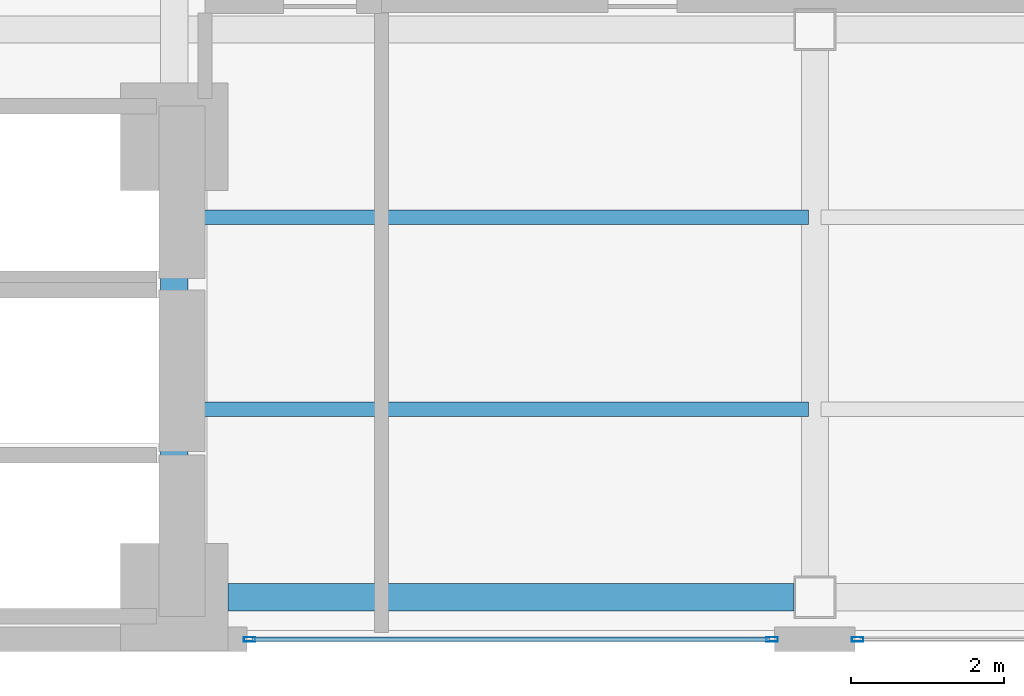
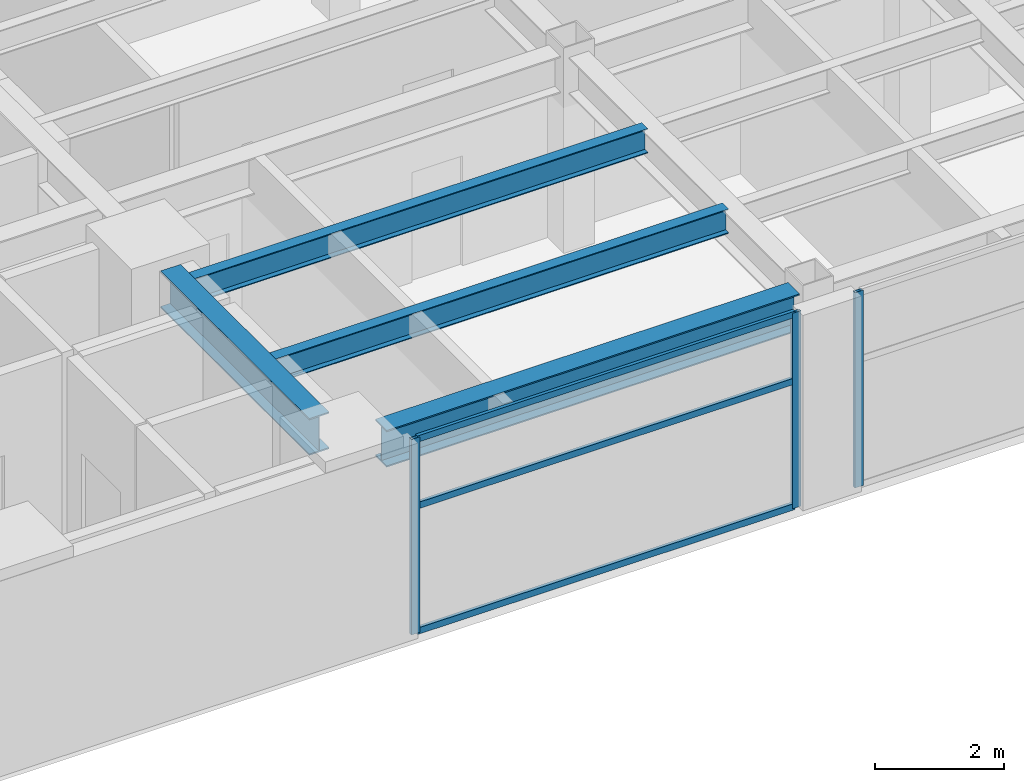
# One storey, part 4 of 16: 6 members, 4 beams, 2 elements without a shape of their own.
"""IFC4 building model written with IfcOpenShell, lengths in metres."""

from ifc_helpers import new_model, si_unit, direction, frame, origin, origin_2d, place, context, subcontext, project, spatial, hollow_rectangle, i_section, extrude, material, layer, layer_set, material_profile, profile_set, type_object, element, aggregate, save


model = new_model("IFC4")

# Units and contexts
model_context = context("Model", 3, precision=1e-05, world=origin(), true_north=direction((0.0, 1.0)))
body_context = subcontext(model_context, "Body", "Model", "MODEL_VIEW")
ifc_project = project(units=[si_unit("LENGTHUNIT", "METRE"), si_unit("AREAUNIT", "SQUARE_METRE"), si_unit("VOLUMEUNIT", "CUBIC_METRE"), si_unit("PLANEANGLEUNIT", "RADIAN"), si_unit("MASSUNIT", "GRAM", prefix="KILO")], contexts=[model_context])

# Site, building, storey
site_placement = place(None, origin())
site = spatial("IfcSite", under=ifc_project, at=site_placement, CompositionType="ELEMENT")
building_placement = place(site_placement, origin())
building = spatial("IfcBuilding", under=site, at=building_placement, Name="Mawjaban Terraces University", CompositionType="ELEMENT")
storey_placement = place(building_placement, frame((0.0, 0.0, 54.39990234375)))
storey = spatial("IfcBuildingStorey", under=building, at=storey_placement, Name="L12", CompositionType="ELEMENT", Elevation=54.39990234375)

# Beams
ifc_material_1 = material(Name="Steel ASTM A572 Grade 50", Category="steel")
ifc_material_profile_1 = material_profile(ifc_material_1, i_section(OverallWidth=0.35498046875, OverallDepth=0.695068359375, WebThickness=0.015380859375, FlangeThickness=0.02490234375, at=origin_2d()), Name="W690X217")
ifc_profile_set_1 = profile_set([ifc_material_profile_1], Name="Steel ASTM A572 Grade 50")
beam_type_1 = type_object("IfcBeamType", Name="Beam_B_W690X217", PredefinedType="BEAM", material=ifc_profile_set_1)
beam_1_placement = place(storey_placement, frame((38.35009765625, 0.550048828125, 3.343017578125), z_axis=(1.0, 0.0, 0.0), x_axis=(0.0, 1.0, 0.0)))
element("IfcBeam", 1, at=beam_1_placement, inside=storey, type_object=beam_type_1, Name="L12 Beam BM-L12-EW-01", PredefinedType="BEAM", context=body_context, shape_type="SweptSolid", body=[
    extrude(i_section(OverallWidth=0.35498046875, OverallDepth=0.695068359375, WebThickness=0.015380859375, FlangeThickness=0.02490234375, at=origin_2d()), origin(), (0.0, 0.0, 1.0), 7.375),
])
beam_2_placement = place(storey_placement, frame((37.64990234375, 1.25, 3.343017578125), z_axis=(0.0, 1.0, 0.0), x_axis=(-1.0, 0.0, 0.0)))
element("IfcBeam", 2, at=beam_2_placement, inside=storey, type_object=beam_type_1, Name="L12 Beam BM-L12-NS-07", PredefinedType="BEAM", context=body_context, shape_type="SweptSolid", body=[
    extrude(i_section(OverallWidth=0.35498046875, OverallDepth=0.695068359375, WebThickness=0.015380859375, FlangeThickness=0.02490234375, at=origin_2d()), origin(), (0.0, 0.0, 1.0), 4.60009765625),
])
ifc_material_profile_2 = material_profile(ifc_material_1, i_section(OverallWidth=0.19189453125, OverallDepth=0.462890625, WebThickness=0.010498046875, FlangeThickness=0.017578125, at=origin_2d()), Name="W460X89")
ifc_profile_set_2 = profile_set([ifc_material_profile_2], Name="Steel ASTM A572 Grade 50")
beam_type_2 = type_object("IfcBeamType", Name="Beam_J_W460X89", PredefinedType="JOIST", material=ifc_profile_set_2)
for number, where, z_axis, x_axis, name in (
    (3, (37.72998046875, 3.0, 3.458984375), (1.0, 0.0, 0.0), (0.0, 1.0, 0.0), "L12 Composite Joist JST-L12-01"),
    (4, (37.72998046875, 5.5, 3.458984375), (1.0, 0.0, 0.0), (0.0, 1.0, 0.0), "L12 Composite Joist JST-L12-06"),
):
    element("IfcBeam", number, at=place(storey_placement, frame(where, z_axis=z_axis, x_axis=x_axis)), inside=storey, type_object=beam_type_2, Name=name, PredefinedType="JOIST", context=body_context, shape_type="SweptSolid", body=[
        extrude(i_section(OverallWidth=0.19189453125, OverallDepth=0.462890625, WebThickness=0.010498046875, FlangeThickness=0.017578125, at=origin_2d()), origin(), (0.0, 0.0, 1.0), 8.18994140625),
    ])

# Curtain wall, members
ifc_material_2 = material(Name="Anodised aluminium 6063-T6 and solar-control low-E glass", Category="aluminium")
ifc_layer = layer(ifc_material_2, 0.1650390625)
ifc_layer_set = layer_set([ifc_layer], Name="Anodised aluminium 6063-T6 and solar-control low-E glass")
curtain_wall_type = type_object("IfcCurtainWallType", Name="CWSystem_04_EastWing", PredefinedType="NOTDEFINED", material=ifc_layer_set)
curtain_wall_1_placement = place(storey_placement, origin())
curtain_wall_1 = element("IfcCurtainWall", 5, at=curtain_wall_1_placement, inside=storey, type_object=curtain_wall_type, Name="L12 Curtain Wall CW-04 Run 1.2", PredefinedType="NOTDEFINED")
ifc_material_3 = material(Name="Anodised aluminium 6063-T6", Category="aluminium")
ifc_material_profile_3 = material_profile(ifc_material_3, hollow_rectangle(XDim=0.06005859375, YDim=0.14990234375, WallThickness=0.00390625, at=origin_2d()), Name="ALU150X60X4")
ifc_profile_set_3 = profile_set([ifc_material_profile_3], Name="Anodised aluminium 6063-T6")
member_type_1 = type_object("IfcMemberType", Name="Mullion_CW-04", PredefinedType="MULLION", material=ifc_profile_set_3)
member_1_placement = place(storey_placement, frame((38.632568359375, 0.0, 0.0), z_axis=(0.0, 0.0, 1.0), x_axis=(0.0, 1.0, 0.0)))
member_1 = element("IfcMember", 6, at=member_1_placement, type_object=member_type_1, Name="CW-04 mullion 1", PredefinedType="MULLION", context=body_context, shape_type="SweptSolid", body=[
    extrude(hollow_rectangle(XDim=0.06005859375, YDim=0.14990234375, WallThickness=0.00390625, at=origin_2d()), origin(), (0.0, 0.0, 1.0), 3.690185546875),
])
member_2_placement = place(storey_placement, frame((45.4423828125, 0.0, 0.0), z_axis=(0.0, 0.0, 1.0), x_axis=(0.0, 1.0, 0.0)))
member_2 = element("IfcMember", 7, at=member_2_placement, type_object=member_type_1, Name="CW-04 mullion 2", PredefinedType="MULLION", context=body_context, shape_type="SweptSolid", body=[
    extrude(hollow_rectangle(XDim=0.06005859375, YDim=0.14990234375, WallThickness=0.00390625, at=origin_2d()), origin(), (0.0, 0.0, 1.0), 3.690185546875),
])

# Curtain wall, member
curtain_wall_2_placement = place(storey_placement, origin())
curtain_wall_2 = element("IfcCurtainWall", 8, at=curtain_wall_2_placement, inside=storey, type_object=curtain_wall_type, Name="L12 Curtain Wall CW-04 Run 1.3", PredefinedType="NOTDEFINED")
member_3_placement = place(storey_placement, frame((46.5576171875, 0.0, 0.0), z_axis=(0.0, 0.0, 1.0), x_axis=(0.0, 1.0, 0.0)))
member_3 = element("IfcMember", 9, at=member_3_placement, type_object=member_type_1, Name="CW-04 mullion 1", PredefinedType="MULLION", context=body_context, shape_type="SweptSolid", body=[
    extrude(hollow_rectangle(XDim=0.06005859375, YDim=0.14990234375, WallThickness=0.00390625, at=origin_2d()), origin(), (0.0, 0.0, 1.0), 3.690185546875),
])
aggregate(curtain_wall_2, [member_3])

# Member
ifc_material_profile_4 = material_profile(ifc_material_3, hollow_rectangle(XDim=0.06005859375, YDim=0.1201171875, WallThickness=0.00341796875, at=origin_2d()), Name="ALU120X60X3.5")
ifc_profile_set_4 = profile_set([ifc_material_profile_4], Name="Anodised aluminium 6063-T6")
member_type_2 = type_object("IfcMemberType", Name="Transom_CW-04", PredefinedType="NOTDEFINED", material=ifc_profile_set_4)
member_4_placement = place(storey_placement, frame((38.6650390625, 0.0, 0.030029296875), z_axis=(1.0, 0.0, 0.0), x_axis=(0.0, 1.0, 0.0)))
member_4 = element("IfcMember", 10, at=member_4_placement, type_object=member_type_2, Name="CW-04 transom 1.1", ObjectType="TRANSOM", PredefinedType="USERDEFINED", context=body_context, shape_type="SweptSolid", body=[
    extrude(hollow_rectangle(XDim=0.06005859375, YDim=0.1201171875, WallThickness=0.00341796875, at=origin_2d()), origin(), (0.0, 0.0, 1.0), 6.744873046875),
])

member_5_placement = place(storey_placement, frame((38.6650390625, 0.0, 2.399169921875), z_axis=(1.0, 0.0, 0.0), x_axis=(0.0, 1.0, 0.0)))
member_5 = element("IfcMember", 11, at=member_5_placement, type_object=member_type_2, Name="CW-04 transom 1.2", ObjectType="TRANSOM", PredefinedType="USERDEFINED", context=body_context, shape_type="SweptSolid", body=[
    extrude(hollow_rectangle(XDim=0.06005859375, YDim=0.1201171875, WallThickness=0.00341796875, at=origin_2d()), origin(), (0.0, 0.0, 1.0), 6.744873046875),
])

member_6_placement = place(storey_placement, frame((38.6650390625, 0.0, 3.66015625), z_axis=(1.0, 0.0, 0.0), x_axis=(0.0, 1.0, 0.0)))
member_6 = element("IfcMember", 12, at=member_6_placement, type_object=member_type_2, Name="CW-04 transom 1.3", ObjectType="TRANSOM", PredefinedType="USERDEFINED", context=body_context, shape_type="SweptSolid", body=[
    extrude(hollow_rectangle(XDim=0.06005859375, YDim=0.1201171875, WallThickness=0.00341796875, at=origin_2d()), origin(), (0.0, 0.0, 1.0), 6.744873046875),
])

aggregate(curtain_wall_1, [member_1, member_2, member_4, member_5, member_6])

save(model, "model.ifc")
